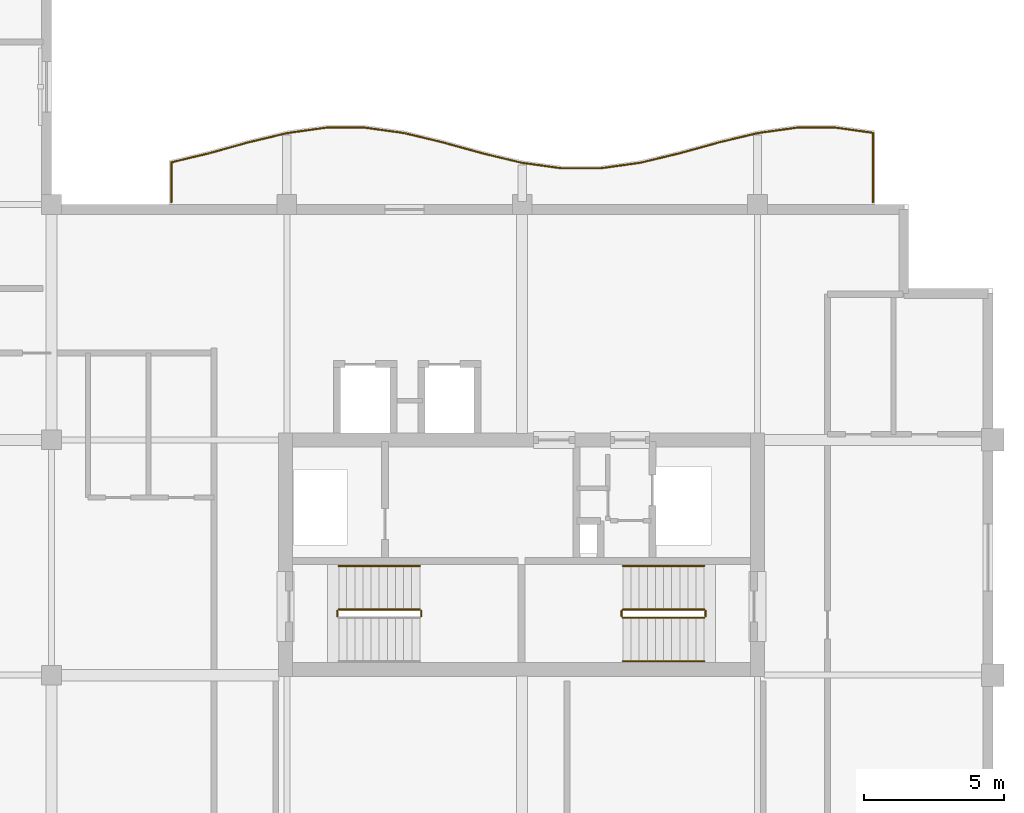
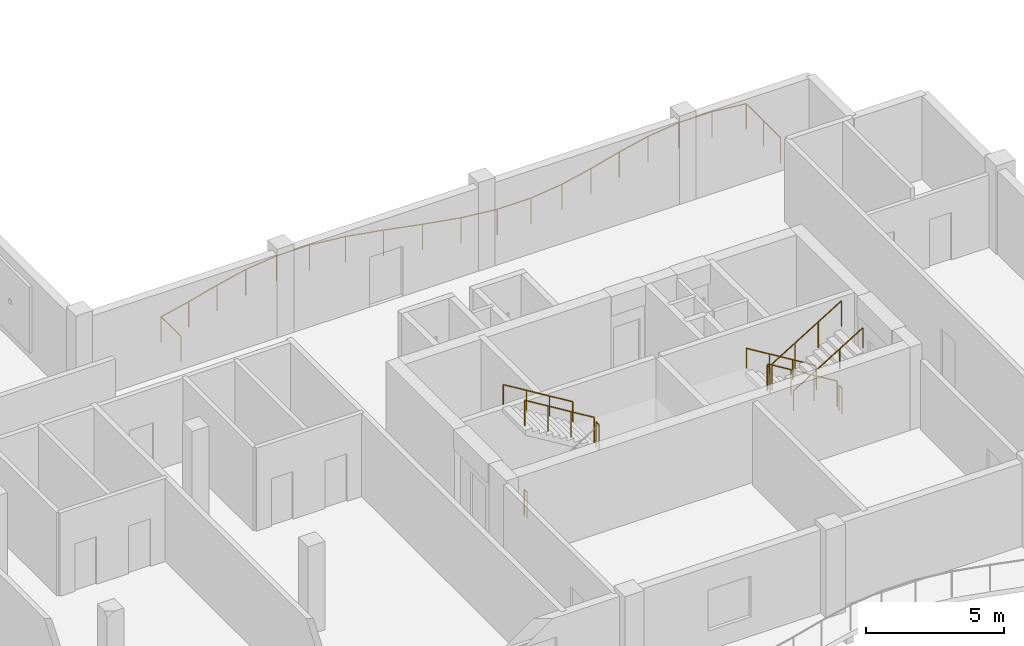
# One storey, part 10 of 11: 11 railings.
"""IFC4 building model written with IfcOpenShell, lengths in metres."""

import ifcopenshell
import ifcopenshell.guid

model = None  # the IFC model being written
_history = None  # IfcOwnerHistory: only IFC2X3 demands one
_inside = {}  # id of a spatial element -> (the spatial element, [elements in it])
_under = {}  # id of a project, library or spatial element -> (it, [spatial elements below it])
_declared = {}  # id of a project -> (the project, [libraries it declares])
_typed = {}  # id of a type object -> (the type object, [elements of that type])
_made_of = {}  # id of a material, layer set ... -> (it, [elements and type objects made of it])


def new_model(schema):
    """Start an empty IFC model of exactly this schema.

    Asked for "IFC4X3", IfcOpenShell would pick the latest addendum, in which some entities
    have other attributes; the version numbers below select the first issue.
    IFC2X3 requires an IfcOwnerHistory on every rooted entity: one is made here for all.
    """
    global model, _history
    if schema == "IFC4X3":
        model = ifcopenshell.file(schema_version=(4, 3, 0, 0))
    else:
        model = ifcopenshell.file(schema=schema)
    _inside.clear()
    _under.clear()
    _declared.clear()
    _typed.clear()
    _made_of.clear()
    _history = None
    if model.schema == "IFC2X3":
        org = make("IfcOrganization", Name="unknown")
        user = make(
            "IfcPersonAndOrganization",
            ThePerson=make("IfcPerson", FamilyName="unknown"),
            TheOrganization=org,
        )
        app = make(
            "IfcApplication",
            ApplicationDeveloper=org,
            Version="unknown",
            ApplicationFullName="unknown",
            ApplicationIdentifier="unknown",
        )
        _history = make(
            "IfcOwnerHistory",
            OwningUser=user,
            OwningApplication=app,
            ChangeAction="ADDED",
            CreationDate=0,
        )
    return model


def make(cls, **values):
    """One entity of the class cls with the attributes given. An attribute that is None is left unset."""
    return model.create_entity(
        cls, **{name: value for name, value in values.items() if value is not None}
    )


def rooted(cls, **values):
    """An entity with a GlobalId (a new one), such as an element, a storey or a relation."""
    return make(cls, GlobalId=ifcopenshell.guid.new(), OwnerHistory=_history, **values)


def si_unit(unit_type, name, prefix=None):
    """IfcSIUnit, for example si_unit("LENGTHUNIT", "METRE", prefix="MILLI")."""
    return make("IfcSIUnit", UnitType=unit_type, Prefix=prefix, Name=name)


def assignment(units):
    """IfcUnitAssignment: the units of a project."""
    return None if units is None else make("IfcUnitAssignment", Units=units)


def point(xyz):
    """IfcCartesianPoint."""
    return None if xyz is None else make("IfcCartesianPoint", Coordinates=xyz)


def direction(xyz):
    """IfcDirection."""
    return None if xyz is None else make("IfcDirection", DirectionRatios=xyz)


def frame(location, z_axis=None, x_axis=None):
    """IfcAxis2Placement3D, a coordinate frame: its origin and axes. An axis left out is left unset."""
    return make(
        "IfcAxis2Placement3D",
        Location=point(location),
        Axis=direction(z_axis),
        RefDirection=direction(x_axis),
    )


def frame_2d(location, x_axis=None):
    """IfcAxis2Placement2D, a coordinate frame in the plane: its origin and x axis."""
    return make(
        "IfcAxis2Placement2D", Location=point(location), RefDirection=direction(x_axis)
    )


def origin():
    """The frame at (0, 0, 0) with its axes left unset."""
    return frame((0.0, 0.0, 0.0))


def origin_2d():
    """The frame at (0, 0) in the plane with its x axis left unset."""
    return frame_2d((0.0, 0.0))


def place(relative_to, where):
    """IfcLocalPlacement: puts the frame where relative to a parent placement (None: the world)."""
    return make(
        "IfcLocalPlacement", PlacementRelTo=relative_to, RelativePlacement=where
    )


def context(
    kind, dimensions, precision=None, world=None, true_north=None, identifier=None
):
    """IfcGeometricRepresentationContext, for example the 3D "Model" context."""
    return make(
        "IfcGeometricRepresentationContext",
        ContextIdentifier=identifier,
        ContextType=kind,
        CoordinateSpaceDimension=dimensions,
        Precision=precision,
        WorldCoordinateSystem=world,
        TrueNorth=true_north,
    )


def subcontext(parent, identifier, kind, view, scale=None):
    """IfcGeometricRepresentationSubContext, for example "Body" below "Model"."""
    return make(
        "IfcGeometricRepresentationSubContext",
        ContextIdentifier=identifier,
        ContextType=kind,
        ParentContext=parent,
        TargetScale=scale,
        TargetView=view,
    )


def project(units=None, contexts=None):
    """IfcProject with its units and contexts."""
    return rooted(
        "IfcProject",
        Name="project",
        RepresentationContexts=contexts,
        UnitsInContext=assignment(units),
    )


def spatial(cls, under=None, at=None, **own):
    """A site, building, storey or space (cls), placed at a placement, below another one or the project."""
    s = rooted(cls, ObjectPlacement=at, **own)
    if under is not None:
        _under.setdefault(under.id(), (under, []))[1].append(s)
    return s


def profile(cls, at=None, kind="AREA", **sizes):
    """A parametric profile (cls). Its sizes go by their IFC names, for example OverallWidth=200.0."""
    return make(cls, ProfileType=kind, Position=at, **sizes)


def circle(**sizes):
    """IfcCircleProfileDef."""
    return profile("IfcCircleProfileDef", **sizes)


def extrude(swept, where, along, depth):
    """IfcExtrudedAreaSolid: the profile swept, set in the frame where, extruded along a direction by depth."""
    return make(
        "IfcExtrudedAreaSolid",
        SweptArea=swept,
        Position=where,
        ExtrudedDirection=direction(along),
        Depth=depth,
    )


def shape(context_of_items, identifier, shape_type, items):
    """IfcShapeRepresentation: the items that make up one representation, for example the "Body"."""
    return make(
        "IfcShapeRepresentation",
        ContextOfItems=context_of_items,
        RepresentationIdentifier=identifier,
        RepresentationType=shape_type,
        Items=items,
    )


def material(Name=None, Category=None):
    """IfcMaterial."""
    return make("IfcMaterial", Name=Name, Category=Category)


def made_of(thing, what):
    """Note that an element or type object is made of a material, layer set ...; save() writes the relation."""
    if what is not None:
        _made_of.setdefault(what.id(), (what, []))[1].append(thing)
    return thing


def type_object(cls, material=None, **own):
    """A type object (cls), such as IfcWallType, which elements share."""
    return made_of(rooted(cls, **own), material)


def element(
    cls,
    number,
    at=None,
    inside=None,
    cuts=None,
    type_object=None,
    material=None,
    context=None,
    identifier="Body",
    shape_type=None,
    held_by="IfcProductDefinitionShape",
    body=None,
    shapes=None,
    **own,
):
    """One element of the class cls, such as IfcWall. Its Tag is "e" and its number.

    at: its placement. inside: the storey or other place that contains it. cuts: it is an
    opening in that element (IfcRelVoidsElement). A single representation is given by context,
    identifier, shape_type and body (its items); several are given by shapes. held_by: the class
    of the entity that holds the representations. save() writes the other relations.
    """
    e = rooted(cls, Tag="e%d" % number, ObjectPlacement=at, **own)
    if body is not None:
        shapes = [shape(context, identifier, shape_type, body)]
    if shapes is not None:
        e.Representation = make(held_by, Representations=shapes)
    if inside is not None:
        _inside.setdefault(inside.id(), (inside, []))[1].append(e)
    if cuts is not None:
        rooted(
            "IfcRelVoidsElement", RelatingBuildingElement=cuts, RelatedOpeningElement=e
        )
    if type_object is not None:
        _typed.setdefault(type_object.id(), (type_object, []))[1].append(e)
    return made_of(e, material)


def aggregate(whole, parts):
    """IfcRelAggregates: a whole, such as a stair, and the parts it consists of."""
    return rooted("IfcRelAggregates", RelatingObject=whole, RelatedObjects=parts)


def save(model, path):
    """Write the relations noted so far, then the file.

    IfcRelAggregates (storeys below a building ...), IfcRelContainedInSpatialStructure (elements
    in a storey), IfcRelDefinesByType, IfcRelAssociatesMaterial and IfcRelDeclares: one each for
    every whole, place, type object, material and project.
    """
    for whole, parts in _under.values():
        aggregate(whole, parts)
    for where, things in _inside.values():
        rooted(
            "IfcRelContainedInSpatialStructure",
            RelatedElements=things,
            RelatingStructure=where,
        )
    for kind, things in _typed.values():
        rooted("IfcRelDefinesByType", RelatedObjects=things, RelatingType=kind)
    for what, things in _made_of.values():
        rooted("IfcRelAssociatesMaterial", RelatedObjects=things, RelatingMaterial=what)
    for by, libraries in _declared.values():
        rooted("IfcRelDeclares", RelatingContext=by, RelatedDefinitions=libraries)
    model.write(path)


model = new_model("IFC4")

# Units and contexts
model_context = context("Model", 3, precision=1e-05, world=origin(), true_north=direction((0.0, 1.0)))
body_context = subcontext(model_context, "Body", "Model", "MODEL_VIEW")
ifc_project = project(units=[si_unit("LENGTHUNIT", "METRE"), si_unit("AREAUNIT", "SQUARE_METRE"), si_unit("VOLUMEUNIT", "CUBIC_METRE"), si_unit("PLANEANGLEUNIT", "RADIAN"), si_unit("MASSUNIT", "GRAM", prefix="KILO")], contexts=[model_context])

# Site, building, storey
site_placement = place(None, origin())
site = spatial("IfcSite", under=ifc_project, at=site_placement, CompositionType="ELEMENT")
building_placement = place(site_placement, origin())
building = spatial("IfcBuilding", under=site, at=building_placement, Name="Koriwani Terraces Tower", CompositionType="ELEMENT")
storey_placement = place(building_placement, frame((0.0, 0.0, 312.5)))
storey = spatial("IfcBuildingStorey", under=building, at=storey_placement, Name="L77", CompositionType="ELEMENT", Elevation=312.5)

# Railings
ifc_material = material(Name="Steel ASTM A572 Grade 50", Category="steel")
railing_type_1 = type_object("IfcRailingType", Name="GUARD_BALUSTRADE_1150", PredefinedType="BALUSTRADE", material=ifc_material)
railing_1_placement = place(storey_placement, frame((62.919921875, 33.679931640625, 0.0)))
element("IfcRailing", 1, at=railing_1_placement, inside=storey, type_object=railing_type_1, Name="L77 Balcony Perimeter Safety Balustrade (NE)", PredefinedType="BALUSTRADE", context=body_context, shape_type="SweptSolid", body=[
    extrude(circle(Radius=0.02392578125, at=origin_2d()), frame((0.0, 0.0, 1.1259765625), z_axis=(0.0, 1.0, 0.0), x_axis=(-1.0, 0.0, 0.0)), (0.0, 0.0, 1.0), 2.480712890625),
    extrude(circle(Radius=0.02392578125, at=origin_2d()), frame((0.0, 2.480712890625, 1.1259765625), z_axis=(-0.990517807296, 0.137384400238, 0.0), x_axis=(-0.137384400238, -0.990517807296, 0.0)), (0.0, 0.0, 1.0), 1.338134765625),
    extrude(circle(Radius=0.02392578125, at=origin_2d()), frame((-1.325439453125, 2.66455078125, 1.1259765625), z_axis=(-1.0, 0.0, 0.0), x_axis=(0.0, -1.0, 0.0)), (0.0, 0.0, 1.0), 1.388916015625),
    extrude(circle(Radius=0.02392578125, at=origin_2d()), frame((-2.71435546875, 2.66455078125, 1.1259765625), z_axis=(-0.990518583157, -0.137378806302, 0.0), x_axis=(0.137378806302, -0.990518583157, 0.0)), (0.0, 0.0, 1.0), 1.404052734375),
    extrude(circle(Radius=0.02392578125, at=origin_2d()), frame((-4.10498046875, 2.4716796875, 1.1259765625), z_axis=(-0.972362581689, -0.23347592966, 0.0), x_axis=(0.23347592966, -0.972362581689, 0.0)), (0.0, 0.0, 1.0), 1.4345703125),
    extrude(circle(Radius=0.02392578125, at=origin_2d()), frame((-5.5, 2.13671875, 1.1259765625), z_axis=(-0.963638196753, -0.267210452187, 0.0), x_axis=(0.267210452187, -0.963638196753, 0.0)), (0.0, 0.0, 1.0), 1.45263671875),
    extrude(circle(Radius=0.02392578125, at=origin_2d()), frame((-6.89990234375, 1.74853515625, 1.1259765625), z_axis=(-0.972404167631, -0.233302667738, 0.0), x_axis=(0.233302667738, -0.972404167631, 0.0)), (0.0, 0.0, 1.0), 1.445068359375),
    extrude(circle(Radius=0.02392578125, at=origin_2d()), frame((-8.30517578125, 1.411376953125, 1.1259765625), z_axis=(-0.990531206111, -0.137287762455, 0.0), x_axis=(0.137287762455, -0.990531206111, 0.0)), (0.0, 0.0, 1.0), 1.422607421875),
    extrude(circle(Radius=0.02392578125, at=origin_2d()), frame((-9.71435546875, 1.216064453125, 1.1259765625), z_axis=(-1.0, 0.0, 0.0), x_axis=(0.0, -1.0, 0.0)), (0.0, 0.0, 1.0), 1.4111328125),
    extrude(circle(Radius=0.02392578125, at=origin_2d()), frame((-11.12548828125, 1.216064453125, 1.1259765625), z_axis=(-0.990531206111, 0.137287762455, 0.0), x_axis=(-0.137287762455, -0.990531206111, 0.0)), (0.0, 0.0, 1.0), 1.422607421875),
    extrude(circle(Radius=0.02392578125, at=origin_2d()), frame((-12.53466796875, 1.411376953125, 1.1259765625), z_axis=(-0.972404167631, 0.233302667738, 0.0), x_axis=(-0.233302667738, -0.972404167631, 0.0)), (0.0, 0.0, 1.0), 1.445068359375),
    extrude(circle(Radius=0.02392578125, at=origin_2d()), frame((-13.93994140625, 1.74853515625, 1.1259765625), z_axis=(-0.963638196753, 0.267210452187, 0.0), x_axis=(-0.267210452187, -0.963638196753, 0.0)), (0.0, 0.0, 1.0), 1.45263671875),
    extrude(circle(Radius=0.02392578125, at=origin_2d()), frame((-15.33984375, 2.13671875, 1.1259765625), z_axis=(-0.972362581689, 0.23347592966, 0.0), x_axis=(-0.23347592966, -0.972362581689, 0.0)), (0.0, 0.0, 1.0), 1.4345703125),
    extrude(circle(Radius=0.02392578125, at=origin_2d()), frame((-16.73486328125, 2.4716796875, 1.1259765625), z_axis=(-0.990518583157, 0.137378806302, 0.0), x_axis=(-0.137378806302, -0.990518583157, 0.0)), (0.0, 0.0, 1.0), 1.404052734375),
    extrude(circle(Radius=0.02392578125, at=origin_2d()), frame((-18.12548828125, 2.66455078125, 1.1259765625), z_axis=(-1.0, 0.0, 0.0), x_axis=(0.0, -1.0, 0.0)), (0.0, 0.0, 1.0), 1.388916015625),
    extrude(circle(Radius=0.02392578125, at=origin_2d()), frame((-19.514404296875, 2.66455078125, 1.1259765625), z_axis=(-0.990518583157, -0.137378806302, 0.0), x_axis=(0.137378806302, -0.990518583157, 0.0)), (0.0, 0.0, 1.0), 1.404052734375),
    extrude(circle(Radius=0.02392578125, at=origin_2d()), frame((-20.905029296875, 2.4716796875, 1.1259765625), z_axis=(-0.972353303141, -0.233514568862, 0.0), x_axis=(0.233514568862, -0.972353303141, 0.0)), (0.0, 0.0, 1.0), 1.434326171875),
    extrude(circle(Radius=0.02392578125, at=origin_2d()), frame((-22.2998046875, 2.13671875, 1.1259765625), z_axis=(-0.963650193341, -0.26716718525, 0.0), x_axis=(0.26716718525, -0.963650193341, 0.0)), (0.0, 0.0, 1.0), 1.452880859375),
    extrude(circle(Radius=0.02392578125, at=origin_2d()), frame((-23.699951171875, 1.74853515625, 1.1259765625), z_axis=(-0.972361568172, -0.233480150638, 0.0), x_axis=(0.233480150638, -0.972361568172, 0.0)), (0.0, 0.0, 1.0), 1.378173828125),
    extrude(circle(Radius=0.02392578125, at=origin_2d()), frame((-25.0400390625, 1.4267578125, 1.1259765625), z_axis=(0.0, -1.0, 0.0), x_axis=(1.0, 0.0, 0.0)), (0.0, 0.0, 1.0), 1.4267578125),
    extrude(circle(Radius=0.02099609375, at=origin_2d()), origin(), (0.0, 0.0, 1.0), 1.101806640625),
    extrude(circle(Radius=0.02099609375, at=origin_2d()), frame((0.0, 1.240234375, 0.0)), (0.0, 0.0, 1.0), 1.101806640625),
    extrude(circle(Radius=0.02099609375, at=origin_2d()), frame((0.0, 2.480712890625, 0.0)), (0.0, 0.0, 1.0), 1.101806640625),
    extrude(circle(Radius=0.02099609375, at=origin_2d()), frame((-1.325439453125, 2.66455078125, 0.0)), (0.0, 0.0, 1.0), 1.101806640625),
    extrude(circle(Radius=0.02099609375, at=origin_2d()), frame((-2.71435546875, 2.66455078125, 0.0)), (0.0, 0.0, 1.0), 1.101806640625),
    extrude(circle(Radius=0.02099609375, at=origin_2d()), frame((-4.10498046875, 2.4716796875, 0.0)), (0.0, 0.0, 1.0), 1.101806640625),
    extrude(circle(Radius=0.02099609375, at=origin_2d()), frame((-5.5, 2.13671875, 0.0)), (0.0, 0.0, 1.0), 1.101806640625),
    extrude(circle(Radius=0.02099609375, at=origin_2d()), frame((-6.89990234375, 1.74853515625, 0.0)), (0.0, 0.0, 1.0), 1.101806640625),
    extrude(circle(Radius=0.02099609375, at=origin_2d()), frame((-8.30517578125, 1.411376953125, 0.0)), (0.0, 0.0, 1.0), 1.101806640625),
    extrude(circle(Radius=0.02099609375, at=origin_2d()), frame((-9.71435546875, 1.216064453125, 0.0)), (0.0, 0.0, 1.0), 1.101806640625),
    extrude(circle(Radius=0.02099609375, at=origin_2d()), frame((-11.12548828125, 1.216064453125, 0.0)), (0.0, 0.0, 1.0), 1.101806640625),
    extrude(circle(Radius=0.02099609375, at=origin_2d()), frame((-12.53466796875, 1.411376953125, 0.0)), (0.0, 0.0, 1.0), 1.101806640625),
    extrude(circle(Radius=0.02099609375, at=origin_2d()), frame((-13.93994140625, 1.74853515625, 0.0)), (0.0, 0.0, 1.0), 1.101806640625),
    extrude(circle(Radius=0.02099609375, at=origin_2d()), frame((-15.33984375, 2.13671875, 0.0)), (0.0, 0.0, 1.0), 1.101806640625),
    extrude(circle(Radius=0.02099609375, at=origin_2d()), frame((-16.73486328125, 2.4716796875, 0.0)), (0.0, 0.0, 1.0), 1.101806640625),
    extrude(circle(Radius=0.02099609375, at=origin_2d()), frame((-18.12548828125, 2.66455078125, 0.0)), (0.0, 0.0, 1.0), 1.101806640625),
    extrude(circle(Radius=0.02099609375, at=origin_2d()), frame((-19.514404296875, 2.66455078125, 0.0)), (0.0, 0.0, 1.0), 1.101806640625),
    extrude(circle(Radius=0.02099609375, at=origin_2d()), frame((-20.905029296875, 2.4716796875, 0.0)), (0.0, 0.0, 1.0), 1.101806640625),
    extrude(circle(Radius=0.02099609375, at=origin_2d()), frame((-22.2998046875, 2.13671875, 0.0)), (0.0, 0.0, 1.0), 1.101806640625),
    extrude(circle(Radius=0.02099609375, at=origin_2d()), frame((-23.699951171875, 1.74853515625, 0.0)), (0.0, 0.0, 1.0), 1.101806640625),
    extrude(circle(Radius=0.02099609375, at=origin_2d()), frame((-25.0400390625, 1.4267578125, 0.0)), (0.0, 0.0, 1.0), 1.101806640625),
    extrude(circle(Radius=0.02099609375, at=origin_2d()), frame((-25.0400390625, 0.0, 0.0)), (0.0, 0.0, 1.0), 1.101806640625),
])
railing_type_2 = type_object("IfcRailingType", Name="GUARD_STAIR_WELL_1120", PredefinedType="GUARDRAIL", material=ifc_material)
railing_2_placement = place(storey_placement, frame((46.800048828125, 18.89990234375, 1.949951171875)))
element("IfcRailing", 2, at=railing_2_placement, inside=storey, type_object=railing_type_2, Name="L77 ST-E1 stair guard 2", PredefinedType="GUARDRAIL", context=body_context, shape_type="SweptSolid", body=[
    extrude(circle(Radius=0.02392578125, at=origin_2d()), frame((0.0, 0.0, 1.1259765625), z_axis=(0.0, 1.0, 0.0), x_axis=(-1.0, 0.0, 0.0)), (0.0, 0.0, 1.0), 0.2001953125),
    extrude(circle(Radius=0.02099609375, at=origin_2d()), origin(), (0.0, 0.0, 1.0), 1.101806640625),
    extrude(circle(Radius=0.02099609375, at=origin_2d()), frame((0.0, 0.2001953125, 0.0)), (0.0, 0.0, 1.0), 1.101806640625),
])
railing_3_placement = place(storey_placement, frame((46.75, 19.14990234375, 2.127197265625)))
element("IfcRailing", 3, at=railing_3_placement, inside=storey, type_object=railing_type_2, Name="L77 ST-E1 stair guard 3", PredefinedType="GUARDRAIL", context=body_context, shape_type="SweptSolid", body=[
    extrude(circle(Radius=0.02392578125, at=origin_2d()), frame((0.0, 0.0, 1.1259765625), z_axis=(-0.853210801645, 0.0, 0.521566225858), x_axis=(0.0, -1.0, 0.0)), (0.0, 0.0, 1.0), 3.39892578125),
    extrude(circle(Radius=0.02099609375, at=origin_2d()), origin(), (0.0, 0.0, 1.0), 1.101806640625),
    extrude(circle(Radius=0.02099609375, at=origin_2d()), frame((-0.966552734375, 0.0, 0.5908203125)), (0.0, 0.0, 1.0), 1.101806640625),
    extrude(circle(Radius=0.02099609375, at=origin_2d()), frame((-1.933349609375, 0.0, 1.181884765625)), (0.0, 0.0, 1.0), 1.101806640625),
    extrude(circle(Radius=0.02099609375, at=origin_2d()), frame((-2.89990234375, 0.0, 1.772705078125)), (0.0, 0.0, 1.0), 1.101806640625),
])
railing_4_placement = place(storey_placement, frame((43.800048828125, 18.89990234375, 0.0)))
element("IfcRailing", 4, at=railing_4_placement, inside=storey, type_object=railing_type_2, Name="L77 ST-E1 stair guard 4", PredefinedType="GUARDRAIL", context=body_context, shape_type="SweptSolid", body=[
    extrude(circle(Radius=0.02392578125, at=origin_2d()), frame((0.0, 0.0, 1.1259765625), z_axis=(0.0, 1.0, 0.0), x_axis=(-1.0, 0.0, 0.0)), (0.0, 0.0, 1.0), 0.2001953125),
    extrude(circle(Radius=0.02099609375, at=origin_2d()), origin(), (0.0, 0.0, 1.0), 1.101806640625),
    extrude(circle(Radius=0.02099609375, at=origin_2d()), frame((0.0, 0.2001953125, 0.0)), (0.0, 0.0, 1.0), 1.101806640625),
])
railing_5_placement = place(storey_placement, frame((56.89990234375, 19.14990234375, 0.17724609375)))
element("IfcRailing", 5, at=railing_5_placement, inside=storey, type_object=railing_type_2, Name="L77 ST-E2 stair guard 1", PredefinedType="GUARDRAIL", context=body_context, shape_type="SweptSolid", body=[
    extrude(circle(Radius=0.02392578125, at=origin_2d()), frame((0.0, 0.0, 1.1259765625), z_axis=(-0.853210801645, 0.0, 0.521566225858), x_axis=(0.0, -1.0, 0.0)), (0.0, 0.0, 1.0), 3.39892578125),
    extrude(circle(Radius=0.02099609375, at=origin_2d()), origin(), (0.0, 0.0, 1.0), 1.101806640625),
    extrude(circle(Radius=0.02099609375, at=origin_2d()), frame((-0.966552734375, 0.0, 0.5908203125)), (0.0, 0.0, 1.0), 1.101806640625),
    extrude(circle(Radius=0.02099609375, at=origin_2d()), frame((-1.933349609375, 0.0, 1.181884765625)), (0.0, 0.0, 1.0), 1.101806640625),
    extrude(circle(Radius=0.02099609375, at=origin_2d()), frame((-2.89990234375, 0.0, 1.772705078125)), (0.0, 0.0, 1.0), 1.101806640625),
])
railing_6_placement = place(storey_placement, frame((53.949951171875, 19.10009765625, 1.949951171875)))
element("IfcRailing", 6, at=railing_6_placement, inside=storey, type_object=railing_type_2, Name="L77 ST-E2 stair guard 2", PredefinedType="GUARDRAIL", context=body_context, shape_type="SweptSolid", body=[
    extrude(circle(Radius=0.02392578125, at=origin_2d()), frame((0.0, 0.0, 1.1259765625), z_axis=(0.0, -1.0, 0.0), x_axis=(1.0, 0.0, 0.0)), (0.0, 0.0, 1.0), 0.2001953125),
    extrude(circle(Radius=0.02099609375, at=origin_2d()), origin(), (0.0, 0.0, 1.0), 1.101806640625),
    extrude(circle(Radius=0.02099609375, at=origin_2d()), frame((0.0, -0.2001953125, 0.0)), (0.0, 0.0, 1.0), 1.101806640625),
])
railing_7_placement = place(storey_placement, frame((54.0, 18.85009765625, 2.127197265625)))
element("IfcRailing", 7, at=railing_7_placement, inside=storey, type_object=railing_type_2, Name="L77 ST-E2 stair guard 3", PredefinedType="GUARDRAIL", context=body_context, shape_type="SweptSolid", body=[
    extrude(circle(Radius=0.02392578125, at=origin_2d()), frame((0.0, 0.0, 1.1259765625), z_axis=(0.853210801645, 0.0, 0.521566225858), x_axis=(0.0, 1.0, 0.0)), (0.0, 0.0, 1.0), 3.39892578125),
    extrude(circle(Radius=0.02099609375, at=origin_2d()), origin(), (0.0, 0.0, 1.0), 1.101806640625),
    extrude(circle(Radius=0.02099609375, at=origin_2d()), frame((0.966552734375, 0.0, 0.5908203125)), (0.0, 0.0, 1.0), 1.101806640625),
    extrude(circle(Radius=0.02099609375, at=origin_2d()), frame((1.933349609375, 0.0, 1.181884765625)), (0.0, 0.0, 1.0), 1.101806640625),
    extrude(circle(Radius=0.02099609375, at=origin_2d()), frame((2.89990234375, 0.0, 1.772705078125)), (0.0, 0.0, 1.0), 1.101806640625),
])
railing_8_placement = place(storey_placement, frame((56.949951171875, 19.10009765625, 0.0)))
element("IfcRailing", 8, at=railing_8_placement, inside=storey, type_object=railing_type_2, Name="L77 ST-E2 stair guard 4", PredefinedType="GUARDRAIL", context=body_context, shape_type="SweptSolid", body=[
    extrude(circle(Radius=0.02392578125, at=origin_2d()), frame((0.0, 0.0, 1.1259765625), z_axis=(0.0, -1.0, 0.0), x_axis=(1.0, 0.0, 0.0)), (0.0, 0.0, 1.0), 0.2001953125),
    extrude(circle(Radius=0.02099609375, at=origin_2d()), origin(), (0.0, 0.0, 1.0), 1.101806640625),
    extrude(circle(Radius=0.02099609375, at=origin_2d()), frame((0.0, -0.2001953125, 0.0)), (0.0, 0.0, 1.0), 1.101806640625),
])
railing_type_3 = type_object("IfcRailingType", Name="HANDRAIL_STAIR_920", PredefinedType="HANDRAIL", material=ifc_material)
for number, where, name in (
    (9, (46.75, 20.699951171875, 2.127197265625), "L77 ST-E1 stair handrail 2"),
    (10, (56.89990234375, 20.699951171875, 0.17724609375), "L77 ST-E2 stair handrail 1"),
):
    element("IfcRailing", number, at=place(storey_placement, frame(where)), inside=storey, type_object=railing_type_3, Name=name, PredefinedType="HANDRAIL", context=body_context, shape_type="SweptSolid", body=[
        extrude(circle(Radius=0.02392578125, at=origin_2d()), frame((0.0, 0.0, 0.8759765625), z_axis=(-0.853210801645, 0.0, 0.521566225858), x_axis=(0.0, -1.0, 0.0)), (0.0, 0.0, 1.0), 3.39892578125),
        extrude(circle(Radius=0.02099609375, at=origin_2d()), origin(), (0.0, 0.0, 1.0), 0.851806640625),
        extrude(circle(Radius=0.02099609375, at=origin_2d()), frame((-0.966552734375, 0.0, 0.5908203125)), (0.0, 0.0, 1.0), 0.851806640625),
        extrude(circle(Radius=0.02099609375, at=origin_2d()), frame((-1.933349609375, 0.0, 1.181884765625)), (0.0, 0.0, 1.0), 0.851806640625),
        extrude(circle(Radius=0.02099609375, at=origin_2d()), frame((-2.89990234375, 0.0, 1.772705078125)), (0.0, 0.0, 1.0), 0.851806640625),
    ])
railing_9_placement = place(storey_placement, frame((54.0, 17.300048828125, 2.127197265625)))
element("IfcRailing", 11, at=railing_9_placement, inside=storey, type_object=railing_type_3, Name="L77 ST-E2 stair handrail 2", PredefinedType="HANDRAIL", context=body_context, shape_type="SweptSolid", body=[
    extrude(circle(Radius=0.02392578125, at=origin_2d()), frame((0.0, 0.0, 0.8759765625), z_axis=(0.853210801645, 0.0, 0.521566225858), x_axis=(0.0, 1.0, 0.0)), (0.0, 0.0, 1.0), 3.39892578125),
    extrude(circle(Radius=0.02099609375, at=origin_2d()), origin(), (0.0, 0.0, 1.0), 0.851806640625),
    extrude(circle(Radius=0.02099609375, at=origin_2d()), frame((0.966552734375, 0.0, 0.5908203125)), (0.0, 0.0, 1.0), 0.851806640625),
    extrude(circle(Radius=0.02099609375, at=origin_2d()), frame((1.933349609375, 0.0, 1.181884765625)), (0.0, 0.0, 1.0), 0.851806640625),
    extrude(circle(Radius=0.02099609375, at=origin_2d()), frame((2.89990234375, 0.0, 1.772705078125)), (0.0, 0.0, 1.0), 0.851806640625),
])

save(model, "model.ifc")
